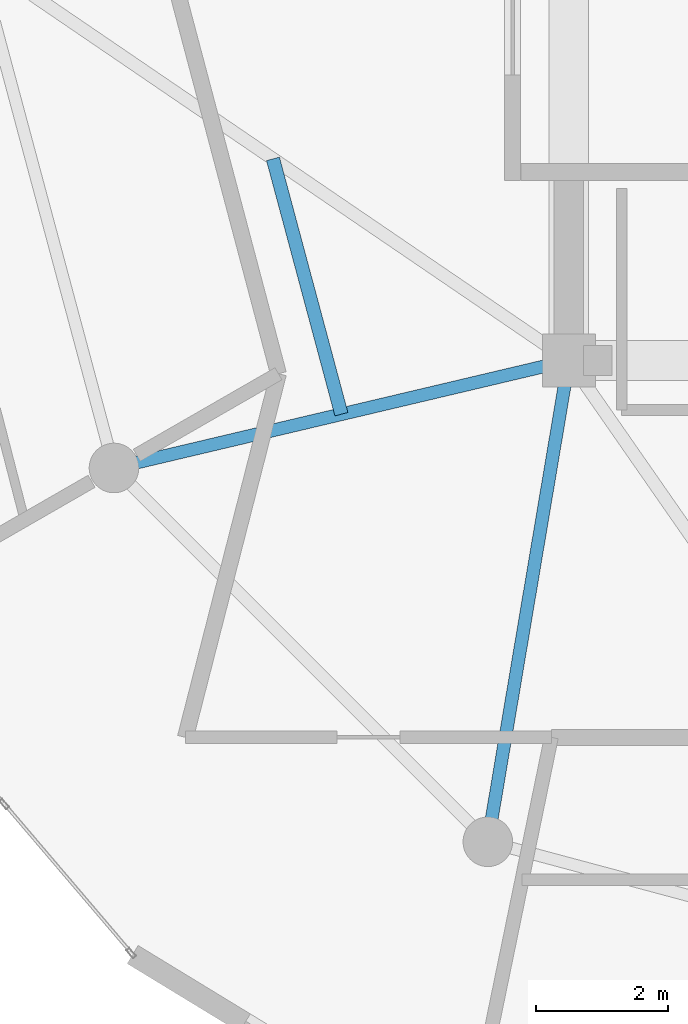
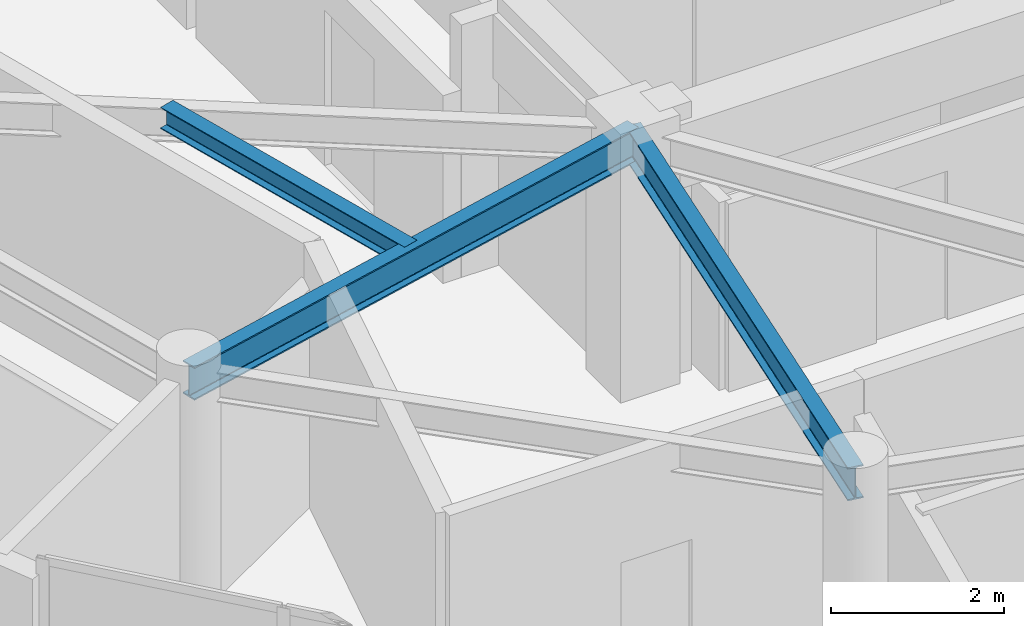
# One storey, part 4 of 22: 3 beams.
"""IFC4 building model written with IfcOpenShell, lengths in metres."""

from ifc_helpers import new_model, si_unit, direction, frame, origin, origin_2d, place, context, subcontext, project, spatial, i_section, extrude, material, material_profile, profile_set, type_object, element, save


model = new_model("IFC4")

# Units and contexts
model_context = context("Model", 3, precision=1e-05, world=origin(), true_north=direction((0.0, 1.0)))
body_context = subcontext(model_context, "Body", "Model", "MODEL_VIEW")
ifc_project = project(units=[si_unit("LENGTHUNIT", "METRE"), si_unit("AREAUNIT", "SQUARE_METRE"), si_unit("VOLUMEUNIT", "CUBIC_METRE"), si_unit("PLANEANGLEUNIT", "RADIAN"), si_unit("MASSUNIT", "GRAM", prefix="KILO")], contexts=[model_context])

# Site, building, storey
site_placement = place(None, origin())
site = spatial("IfcSite", under=ifc_project, at=site_placement, CompositionType="ELEMENT")
building_placement = place(site_placement, origin())
building = spatial("IfcBuilding", under=site, at=building_placement, Name="Solvirekh Grand Hotel", CompositionType="ELEMENT")
storey_placement = place(building_placement, frame((0.0, 0.0, 289.60009765625)))
storey = spatial("IfcBuildingStorey", under=building, at=storey_placement, Name="L75", CompositionType="ELEMENT", Elevation=289.60009765625)

# Beams
ifc_material = material(Name="Steel S355", Category="steel")
ifc_material_profile_1 = material_profile(ifc_material, i_section(OverallWidth=0.194091796875, OverallDepth=0.468994140625, WebThickness=0.010986328125, FlangeThickness=0.01904296875, FilletRadius=0.012939453125, at=origin_2d()), Name="W460X106")
ifc_profile_set_1 = profile_set([ifc_material_profile_1], Name="Steel S355")
beam_type_1 = type_object("IfcBeamType", Name="Beam_Radial_W460H", PredefinedType="BEAM", material=ifc_profile_set_1)
beam_1_placement = place(storey_placement, frame((-6.5, -6.10009765625, 3.3349609375), z_axis=(-0.973221147544, -0.229870828888, 0.0), x_axis=(0.229870828888, -0.973221147544, 0.0)))
element("IfcBeam", 1, at=beam_1_placement, inside=storey, type_object=beam_type_1, Name="L75 radial floor beam R08", PredefinedType="BEAM", context=body_context, shape_type="SweptSolid", body=[
    extrude(i_section(OverallWidth=0.194091796875, OverallDepth=0.468994140625, WebThickness=0.010986328125, FlangeThickness=0.01904296875, FilletRadius=0.012939453125, at=origin_2d()), origin(), (0.0, 0.0, 1.0), 7.069091796875),
])
beam_2_placement = place(storey_placement, frame((-6.5, -6.10009765625, 3.3349609375), z_axis=(-0.165954049106, -0.986133486697, 0.0), x_axis=(0.986133486697, -0.165954049106, 0.0)))
element("IfcBeam", 2, at=beam_2_placement, inside=storey, type_object=beam_type_1, Name="L75 radial floor beam R09", PredefinedType="BEAM", context=body_context, shape_type="SweptSolid", body=[
    extrude(i_section(OverallWidth=0.194091796875, OverallDepth=0.468994140625, WebThickness=0.010986328125, FlangeThickness=0.01904296875, FilletRadius=0.012939453125, at=origin_2d()), origin(), (0.0, 0.0, 1.0), 7.382080078125),
])
ifc_material_profile_2 = material_profile(ifc_material, i_section(OverallWidth=0.202880859375, OverallDepth=0.302978515625, WebThickness=0.008056640625, FlangeThickness=0.012939453125, FilletRadius=0.010009765625, at=origin_2d()), Name="W310X60")
ifc_profile_set_2 = profile_set([ifc_material_profile_2], Name="Steel S355")
beam_type_2 = type_object("IfcBeamType", Name="Joist_Floor_W310", PredefinedType="JOIST", material=ifc_profile_set_2)
beam_3_placement = place(storey_placement, frame((-10.97509765625, -3.050048828125, 3.4189453125), z_axis=(0.258893772796, -0.965905799966, 0.0), x_axis=(0.965905799966, 0.258893772796, 0.0)))
element("IfcBeam", 3, at=beam_3_placement, inside=storey, type_object=beam_type_2, Name="L75 secondary composite floor joist 7", PredefinedType="JOIST", context=body_context, shape_type="SweptSolid", body=[
    extrude(i_section(OverallWidth=0.202880859375, OverallDepth=0.302978515625, WebThickness=0.008056640625, FlangeThickness=0.012939453125, FilletRadius=0.010009765625, at=origin_2d()), origin(), (0.0, 0.0, 1.0), 3.998291015625),
])

save(model, "model.ifc")
